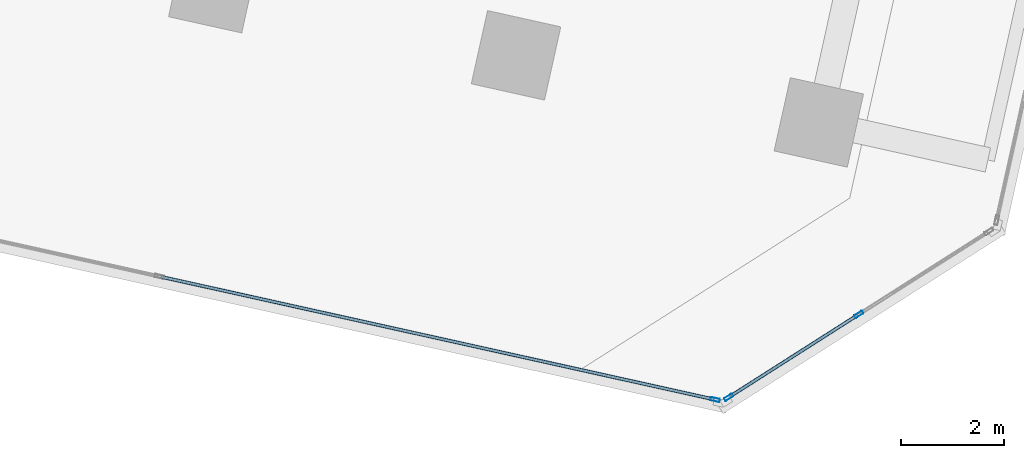
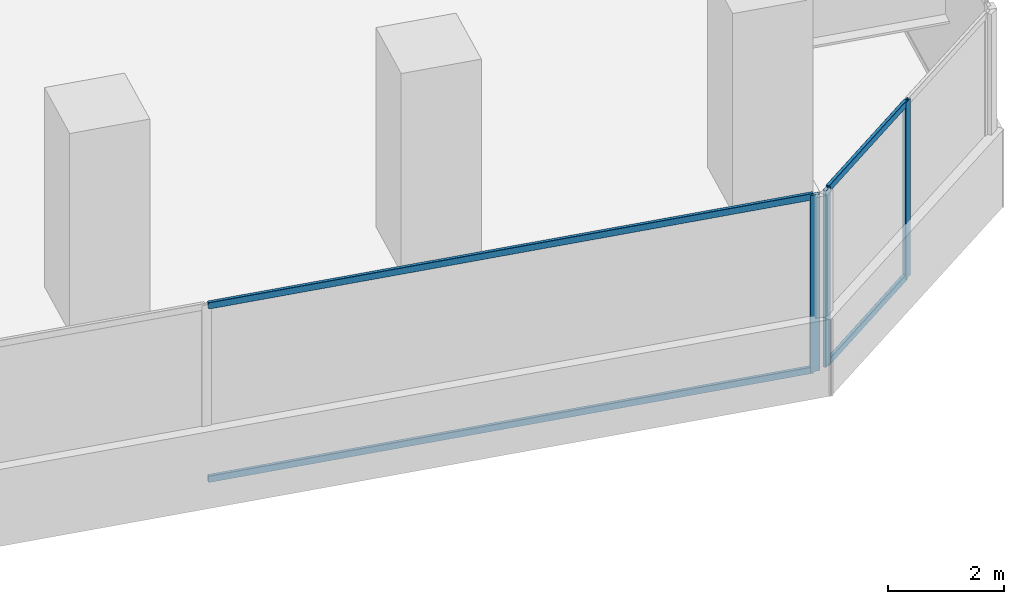
# One storey, part 9 of 25: 7 members, 2 elements without a shape of their own.
"""IFC4 building model written with IfcOpenShell, lengths in metres."""

from ifc_helpers import new_model, si_unit, direction, frame, origin, origin_2d, place, context, subcontext, project, spatial, hollow_rectangle, extrude, source, transform, mapped, material, material_profile, profile_set, type_object, element, aggregate, save


model = new_model("IFC4")

# Units and contexts
model_context = context("Model", 3, precision=1e-05, world=origin(), true_north=direction((0.0, 1.0)))
body_context = subcontext(model_context, "Body", "Model", "MODEL_VIEW")
ifc_project = project(units=[si_unit("LENGTHUNIT", "METRE"), si_unit("AREAUNIT", "SQUARE_METRE"), si_unit("VOLUMEUNIT", "CUBIC_METRE"), si_unit("PLANEANGLEUNIT", "RADIAN"), si_unit("MASSUNIT", "GRAM", prefix="KILO")], contexts=[model_context])

# Site, building, storey
site_placement = place(None, origin())
site = spatial("IfcSite", under=ifc_project, at=site_placement, CompositionType="ELEMENT")
building_placement = place(site_placement, origin())
building = spatial("IfcBuilding", under=site, at=building_placement, Name="Torre Montelarca", CompositionType="ELEMENT")
storey_placement = place(building_placement, frame((0.0, 0.0, 87.39990234375)))
storey = spatial("IfcBuildingStorey", under=building, at=storey_placement, Name="L19", CompositionType="ELEMENT", Elevation=87.39990234375)

# Curtain wall, members
ifc_material_1 = material(Name="Insulated low-E laminated glass", Category="glass")
curtain_wall_type = type_object("IfcCurtainWallType", Name="CW-SYS-Z1", PredefinedType="USERDEFINED", material=ifc_material_1)
curtain_wall_1_placement = place(storey_placement, origin())
curtain_wall_1 = element("IfcCurtainWall", 1, at=curtain_wall_1_placement, inside=storey, type_object=curtain_wall_type, Name="L19 Curtain Wall Run CW-T3-L19-E04-B1", ObjectType="UNITISED GLAZING", PredefinedType="USERDEFINED")
ifc_material_2 = material(Name="Anodised aluminium AA 6063-T6", Category="aluminium")
ifc_material_profile_1 = material_profile(ifc_material_2, hollow_rectangle(XDim=0.06494140625, YDim=0.139892578125, WallThickness=0.00390625, InnerFilletRadius=0.00390625, OuterFilletRadius=0.008056640625, at=origin_2d()), Name="ALU65X140X4", Category="aluminium")
ifc_profile_set_1 = profile_set([ifc_material_profile_1], Name="Anodised aluminium AA 6063-T6")
member_type_1 = type_object("IfcMemberType", Name="CWT-ALU140", PredefinedType="USERDEFINED", material=ifc_profile_set_1)
shared_shape_1 = source(origin(), body_context, "Body", "SweptSolid", [
    extrude(hollow_rectangle(XDim=0.06494140625, YDim=0.139892578125, WallThickness=0.00390625, InnerFilletRadius=0.00390625, OuterFilletRadius=0.008056640625, at=origin_2d()), origin(), (0.0, 0.0, 1.0), 10.94873046875),
])
member_1_placement = place(storey_placement, frame((44.62841796875, 12.87060546875, 0.03271484375), z_axis=(0.976298162359, -0.216429892055, 0.0), x_axis=(0.216429892055, 0.976298162359, 0.0)))
member_1 = element("IfcMember", 2, at=member_1_placement, type_object=member_type_1, Name="CW transom 2.1", ObjectType="TRANSOM", PredefinedType="USERDEFINED", context=body_context, shape_type="MappedRepresentation", body=[
    mapped(shared_shape_1, transform((0.0, 0.0, 0.0), scale=1.0)),
])
member_2_placement = place(storey_placement, frame((44.62841796875, 12.87060546875, 3.6875), z_axis=(0.976298162359, -0.216429892055, 0.0), x_axis=(0.216429892055, 0.976298162359, 0.0)))
member_2 = element("IfcMember", 3, at=member_2_placement, type_object=member_type_1, Name="CW transom 2.2", ObjectType="TRANSOM", PredefinedType="USERDEFINED", context=body_context, shape_type="MappedRepresentation", body=[
    mapped(shared_shape_1, transform((0.0, 0.0, 0.0), scale=1.0)),
])

curtain_wall_2_placement = place(storey_placement, origin())
curtain_wall_2 = element("IfcCurtainWall", 4, at=curtain_wall_2_placement, inside=storey, type_object=curtain_wall_type, Name="L19 Curtain Wall Run CW-T3-L19-E05-B1", ObjectType="UNITISED GLAZING", PredefinedType="USERDEFINED")
shared_shape_2 = source(origin(), body_context, "Body", "SweptSolid", [
    extrude(hollow_rectangle(XDim=0.06494140625, YDim=0.139892578125, WallThickness=0.00390625, InnerFilletRadius=0.00390625, OuterFilletRadius=0.008056640625, at=origin_2d()), origin(), (0.0, 0.0, 1.0), 2.918701171875),
])
member_3_placement = place(storey_placement, frame((55.6396484375, 10.5576171875, 0.03271484375), z_axis=(0.843351352958, 0.537362536342, 0.0), x_axis=(-0.537362536342, 0.843351352958, 0.0)))
member_3 = element("IfcMember", 5, at=member_3_placement, type_object=member_type_1, Name="CW transom 1.1", ObjectType="TRANSOM", PredefinedType="USERDEFINED", context=body_context, shape_type="MappedRepresentation", body=[
    mapped(shared_shape_2, transform((0.0, 0.0, 0.0), scale=1.0)),
])
member_4_placement = place(storey_placement, frame((55.6396484375, 10.5576171875, 3.6875), z_axis=(0.843351352958, 0.537362536342, 0.0), x_axis=(-0.537362536342, 0.843351352958, 0.0)))
member_4 = element("IfcMember", 6, at=member_4_placement, type_object=member_type_1, Name="CW transom 1.2", ObjectType="TRANSOM", PredefinedType="USERDEFINED", context=body_context, shape_type="MappedRepresentation", body=[
    mapped(shared_shape_2, transform((0.0, 0.0, 0.0), scale=1.0)),
])

# Member
ifc_material_profile_2 = material_profile(ifc_material_2, hollow_rectangle(XDim=0.06494140625, YDim=0.179931640625, WallThickness=0.00390625, InnerFilletRadius=0.00390625, OuterFilletRadius=0.008056640625, at=origin_2d()), Name="ALU65X180X4", Category="aluminium")
ifc_profile_set_2 = profile_set([ifc_material_profile_2], Name="Anodised aluminium AA 6063-T6")
member_type_2 = type_object("IfcMemberType", Name="CWM-ALU180", PredefinedType="MULLION", material=ifc_profile_set_2)
shared_shape_3 = source(origin(), body_context, "Body", "SweptSolid", [
    extrude(hollow_rectangle(XDim=0.06494140625, YDim=0.179931640625, WallThickness=0.00390625, InnerFilletRadius=0.00390625, OuterFilletRadius=0.008056640625, at=origin_2d()), origin(), (0.0, 0.0, 1.0), 3.72021484375),
])
member_5_placement = place(storey_placement, frame((55.349365234375, 10.493896484375, 0.0), z_axis=(0.0, 0.0, 1.0), x_axis=(0.216436780664, 0.976296635237, 0.0)))
member_5 = element("IfcMember", 7, at=member_5_placement, type_object=member_type_2, Name="CW mullion 3", PredefinedType="MULLION", context=body_context, shape_type="MappedRepresentation", body=[
    mapped(shared_shape_3, transform((0.0, 0.0, 0.0), scale=1.0)),
])

aggregate(curtain_wall_1, [member_5, member_1, member_2])

member_6_placement = place(storey_placement, frame((55.6123046875, 10.540283203125, 0.0), z_axis=(0.0, 0.0, 1.0), x_axis=(-0.537304483117, 0.843388340222, 0.0)))
member_6 = element("IfcMember", 8, at=member_6_placement, type_object=member_type_2, Name="CW mullion 1", PredefinedType="MULLION", context=body_context, shape_type="MappedRepresentation", body=[
    mapped(shared_shape_3, transform((0.0, 0.0, 0.0), scale=1.0)),
])

member_7_placement = place(storey_placement, frame((58.128662109375, 12.143310546875, 0.0), z_axis=(0.0, 0.0, 1.0), x_axis=(-0.537304483117, 0.843388340222, 0.0)))
member_7 = element("IfcMember", 9, at=member_7_placement, type_object=member_type_2, Name="CW mullion 2", PredefinedType="MULLION", context=body_context, shape_type="MappedRepresentation", body=[
    mapped(shared_shape_3, transform((0.0, 0.0, 0.0), scale=1.0)),
])

aggregate(curtain_wall_2, [member_6, member_7, member_3, member_4])

save(model, "model.ifc")
